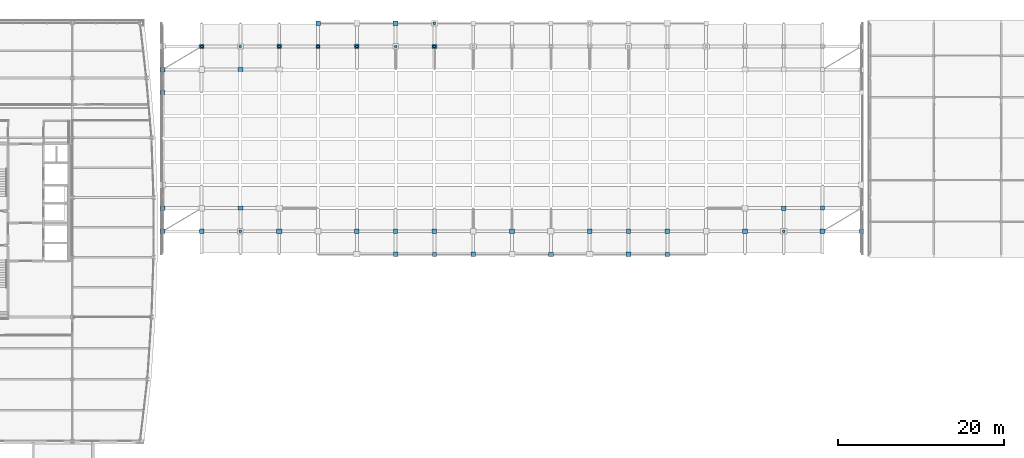
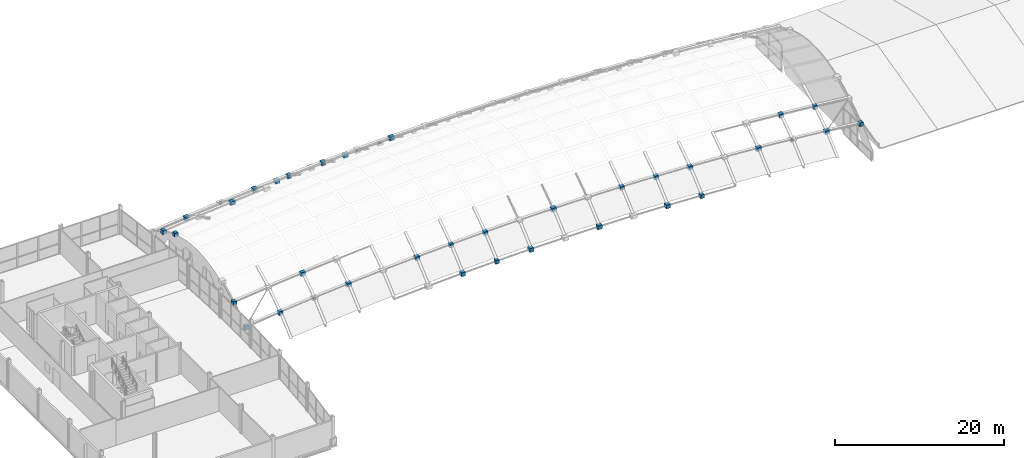
# One storey, part 49 of 65: 43 plates.
"""IFC4 building model written with IfcOpenShell, lengths in metres."""

from ifc_helpers import new_model, si_unit, direction, frame, origin, origin_2d, place, context, subcontext, project, spatial, rectangle, extrude, material, layer, layer_set, type_object, element, save


model = new_model("IFC4")

# Units and contexts
model_context = context("Model", 3, precision=1e-05, world=origin(), true_north=direction((0.0, 1.0)))
body_context = subcontext(model_context, "Body", "Model", "MODEL_VIEW")
ifc_project = project(units=[si_unit("LENGTHUNIT", "METRE"), si_unit("AREAUNIT", "SQUARE_METRE"), si_unit("VOLUMEUNIT", "CUBIC_METRE"), si_unit("PLANEANGLEUNIT", "RADIAN"), si_unit("MASSUNIT", "GRAM", prefix="KILO")], contexts=[model_context])

# Site, building, storey
site_placement = place(None, origin())
site = spatial("IfcSite", under=ifc_project, at=site_placement, CompositionType="ELEMENT")
building_placement = place(site_placement, origin())
building = spatial("IfcBuilding", under=site, at=building_placement, Name="Quillay Park Conservatory", CompositionType="ELEMENT")
storey_placement = place(building_placement, frame((0.0, 0.0, 14.10009765625)))
storey = spatial("IfcBuildingStorey", under=building, at=storey_placement, Name="L03", CompositionType="ELEMENT", Elevation=14.10009765625)

# Plates
ifc_material_1 = material(Name="Steel S355J2H", Category="steel")
ifc_layer_1 = layer(ifc_material_1, 0.031982421875)
ifc_layer_set_1 = layer_set([ifc_layer_1], Name="BOLTED GUSSET NODE PLATE GN01 (Steel S355J2H)")
plate_type_1 = type_object("IfcPlateType", Name="BOLTED GUSSET NODE PLATE GN01", PredefinedType="USERDEFINED", material=ifc_layer_set_1)
for number, where, z_axis, x_axis, name in (
    (1, (44.683349609375, 110.614990234375, 1.948974609375), (0.0, 0.0, 1.0), (1.0, 0.0, 0.0), "Conservatory gridshell star node GN01 (3,9)"),
    (2, (54.038818359375, 88.3349609375, 2.335693359375), (0.0, 0.0, 1.0), (1.0, 0.0, 0.0), "Conservatory gridshell star node GN01 (5,1)"),
    (3, (58.716796875, 85.550048828125, 0.093505859375), (0.0, 0.0, 1.0), (1.0, 0.0, 0.0), "Conservatory gridshell star node GN01 (6,0)"),
    (4, (82.105712890625, 88.3349609375, 2.687255859375), (0.0, 0.0, 1.0), (1.0, 0.0, 0.0), "Conservatory gridshell star node GN01 (11,1)"),
    (5, (86.783203125, 85.550048828125, 0.093505859375), (0.0, 0.0, 1.0), (1.0, 0.0, 0.0), "Conservatory gridshell star node GN01 (12,0)"),
    (6, (105.494384765625, 91.1201171875, 3.284912109375), (0.0, 0.0, 1.0), (1.0, 0.0, 0.0), "Conservatory gridshell star node GN01 (16,2)"),
    (7, (110.172119140625, 88.3349609375, 0.937255859375), (0.0, 0.0, 1.0), (1.0, 0.0, 0.0), "Conservatory gridshell star node GN01 (17,1)"),
):
    element("IfcPlate", number, at=place(storey_placement, frame(where, z_axis=z_axis, x_axis=x_axis)), inside=storey, type_object=plate_type_1, Name=name, ObjectType="GUSSET PLATE", PredefinedType="USERDEFINED", context=body_context, shape_type="SweptSolid", body=[
        extrude(rectangle(XDim=0.56005859375, YDim=0.56005859375, at=origin_2d()), origin(), (0.0, 0.0, 1.0), 0.5400390625),
    ])
ifc_material_2 = material(Name="Steel S355J2H", Category="steel")
ifc_layer_2 = layer(ifc_material_2, 0.035888671875)
ifc_layer_set_2 = layer_set([ifc_layer_2], Name="BOLTED GUSSET NODE PLATE GN02 (Steel S355J2H)")
plate_type_2 = type_object("IfcPlateType", Name="BOLTED GUSSET NODE PLATE GN02", PredefinedType="USERDEFINED", material=ifc_layer_set_2)
for number, where, z_axis, x_axis, name in (
    (8, (30.64990234375, 88.3349609375, 0.441162109375), (0.0, 0.0, 1.0), (1.0, 0.0, 0.0), "Conservatory gridshell star node GN02 (0,1)"),
    (9, (30.64990234375, 105.044921875, 3.820068359375), (0.0, 0.0, 1.0), (1.0, 0.0, 0.0), "Conservatory gridshell star node GN02 (0,7)"),
    (10, (49.361083984375, 110.614990234375, 2.269287109375), (0.0, 0.0, 1.0), (1.0, 0.0, 0.0), "Conservatory gridshell star node GN02 (4,9)"),
    (11, (58.716796875, 88.3349609375, 2.538818359375), (0.0, 0.0, 1.0), (1.0, 0.0, 0.0), "Conservatory gridshell star node GN02 (6,1)"),
    (12, (63.394287109375, 85.550048828125, 0.241943359375), (0.0, 0.0, 1.0), (1.0, 0.0, 0.0), "Conservatory gridshell star node GN02 (7,0)"),
    (13, (86.783203125, 88.3349609375, 2.538818359375), (0.0, 0.0, 1.0), (1.0, 0.0, 0.0), "Conservatory gridshell star node GN02 (12,1)"),
    (14, (91.461181640625, 85.550048828125, -0.109619140625), (0.0, 0.0, 1.0), (1.0, 0.0, 0.0), "Conservatory gridshell star node GN02 (13,0)"),
    (15, (110.172119140625, 91.1201171875, 2.847412109375), (0.0, 0.0, 1.0), (1.0, 0.0, 0.0), "Conservatory gridshell star node GN02 (17,2)"),
    (16, (114.85009765625, 88.3349609375, 0.441162109375), (0.0, 0.0, 1.0), (1.0, 0.0, 0.0), "Conservatory gridshell star node GN02 (18,1)"),
):
    element("IfcPlate", number, at=place(storey_placement, frame(where, z_axis=z_axis, x_axis=x_axis)), inside=storey, type_object=plate_type_2, Name=name, ObjectType="GUSSET PLATE", PredefinedType="USERDEFINED", context=body_context, shape_type="SweptSolid", body=[
        extrude(rectangle(XDim=0.5, YDim=0.5, at=origin_2d()), origin(), (0.0, 0.0, 1.0), 0.5400390625),
    ])
ifc_material_3 = material(Name="Steel S355J2H", Category="steel")
ifc_layer_3 = layer(ifc_material_3, 0.0400390625)
ifc_layer_set_3 = layer_set([ifc_layer_3], Name="BOLTED GUSSET NODE PLATE GN03 (Steel S355J2H)")
plate_type_3 = type_object("IfcPlateType", Name="BOLTED GUSSET NODE PLATE GN03", PredefinedType="USERDEFINED", material=ifc_layer_set_3)
for number, where, z_axis, x_axis, name in (
    (17, (30.64990234375, 91.1201171875, 2.351318359375), (0.0, 0.0, 1.0), (1.0, 0.0, 0.0), "Conservatory gridshell star node GN03 (0,2)"),
    (18, (30.64990234375, 107.830078125, 2.495849609375), (0.0, 0.0, 1.0), (1.0, 0.0, 0.0), "Conservatory gridshell star node GN03 (0,8)"),
    (19, (35.327880859375, 88.3349609375, 0.937255859375), (0.0, 0.0, 1.0), (1.0, 0.0, 0.0), "Conservatory gridshell star node GN03 (1,1)"),
    (20, (49.361083984375, 113.39990234375, -0.133056640625), (0.0, 0.0, 1.0), (1.0, 0.0, 0.0), "Conservatory gridshell star node GN03 (4,10)"),
    (21, (54.038818359375, 110.614990234375, 2.531005859375), (0.0, 0.0, 1.0), (1.0, 0.0, 0.0), "Conservatory gridshell star node GN03 (5,9)"),
    (22, (63.394287109375, 88.3349609375, 2.687255859375), (0.0, 0.0, 1.0), (1.0, 0.0, 0.0), "Conservatory gridshell star node GN03 (7,1)"),
    (23, (68.072265625, 85.550048828125, 0.327880859375), (0.0, 0.0, 1.0), (1.0, 0.0, 0.0), "Conservatory gridshell star node GN03 (8,0)"),
    (24, (91.461181640625, 88.3349609375, 2.335693359375), (0.0, 0.0, 1.0), (1.0, 0.0, 0.0), "Conservatory gridshell star node GN03 (13,1)"),
):
    element("IfcPlate", number, at=place(storey_placement, frame(where, z_axis=z_axis, x_axis=x_axis)), inside=storey, type_object=plate_type_3, Name=name, ObjectType="GUSSET PLATE", PredefinedType="USERDEFINED", context=body_context, shape_type="SweptSolid", body=[
        extrude(rectangle(XDim=0.5400390625, YDim=0.5400390625, at=origin_2d()), origin(), (0.0, 0.0, 1.0), 0.5400390625),
    ])
ifc_material_4 = material(Name="Steel S355J2H", Category="steel")
ifc_layer_4 = layer(ifc_material_4, 0.048095703125)
ifc_layer_set_4 = layer_set([ifc_layer_4], Name="BOLTED GUSSET NODE PLATE GN05 (Steel S355J2H)")
plate_type_4 = type_object("IfcPlateType", Name="BOLTED GUSSET NODE PLATE GN05", PredefinedType="USERDEFINED", material=ifc_layer_set_4)
for number, where, z_axis, x_axis, name in (
    (25, (35.327880859375, 110.614990234375, 1.132568359375), (0.0, 0.0, 1.0), (1.0, 0.0, 0.0), "Conservatory gridshell star node GN05 (1,9)"),
    (26, (40.005615234375, 91.1201171875, 3.284912109375), (0.0, 0.0, 1.0), (1.0, 0.0, 0.0), "Conservatory gridshell star node GN05 (2,2)"),
    (27, (40.005615234375, 107.830078125, 3.429443359375), (0.0, 0.0, 1.0), (1.0, 0.0, 0.0), "Conservatory gridshell star node GN05 (2,8)"),
    (28, (44.683349609375, 88.3349609375, 1.753662109375), (0.0, 0.0, 1.0), (1.0, 0.0, 0.0), "Conservatory gridshell star node GN05 (3,1)"),
    (29, (58.716796875, 113.39990234375, 0.331787109375), (0.0, 0.0, 1.0), (1.0, 0.0, 0.0), "Conservatory gridshell star node GN05 (6,10)"),
    (30, (63.394287109375, 110.614990234375, 2.882568359375), (0.0, 0.0, 1.0), (1.0, 0.0, 0.0), "Conservatory gridshell star node GN05 (7,9)"),
    (31, (72.75, 88.3349609375, 2.804443359375), (0.0, 0.0, 1.0), (1.0, 0.0, 0.0), "Conservatory gridshell star node GN05 (9,1)"),
    (32, (77.427734375, 85.550048828125, 0.327880859375), (0.0, 0.0, 1.0), (1.0, 0.0, 0.0), "Conservatory gridshell star node GN05 (10,0)"),
    (33, (100.816650390625, 88.3349609375, 1.753662109375), (0.0, 0.0, 1.0), (1.0, 0.0, 0.0), "Conservatory gridshell star node GN05 (15,1)"),
):
    element("IfcPlate", number, at=place(storey_placement, frame(where, z_axis=z_axis, x_axis=x_axis)), inside=storey, type_object=plate_type_4, Name=name, ObjectType="GUSSET PLATE", PredefinedType="USERDEFINED", context=body_context, shape_type="SweptSolid", body=[
        extrude(rectangle(XDim=0.6201171875, YDim=0.5, at=origin_2d()), origin(), (0.0, 0.0, 1.0), 0.5400390625),
    ])
ifc_material_5 = material(Name="Steel S355J2H", Category="steel")
ifc_layer_5 = layer(ifc_material_5, 0.02392578125)
ifc_layer_set_5 = layer_set([ifc_layer_5], Name="HOLLOW END CAP PLATE 290 (Steel S355J2H)")
plate_type_5 = type_object("IfcPlateType", Name="HOLLOW END CAP PLATE 290", PredefinedType="USERDEFINED", material=ifc_layer_set_5)
plate_1_placement = place(storey_placement, frame((35.327880859375, 110.606689453125, 1.27587890625), z_axis=(0.0, 0.0, 1.0), x_axis=(1.0, 0.0, 0.0)))
element("IfcPlate", 34, at=plate_1_placement, inside=storey, type_object=plate_type_5, Name="Hollow steel end cap ECP-0139", ObjectType="FLANGE PLATE", PredefinedType="USERDEFINED", context=body_context, shape_type="SweptSolid", body=[
    extrude(rectangle(XDim=0.294921875, YDim=0.294921875, at=origin_2d()), origin(), (0.0, 0.0, 1.0), 0.268310546875),
])
plate_2_placement = place(storey_placement, frame((40.005615234375, 88.34326171875, 1.5185546875), z_axis=(0.0, 0.0, 1.0), x_axis=(1.0, 0.0, 0.0)))
element("IfcPlate", 35, at=plate_2_placement, inside=storey, type_object=plate_type_5, Name="Hollow steel end cap ECP-0140", ObjectType="FLANGE PLATE", PredefinedType="USERDEFINED", context=body_context, shape_type="SweptSolid", body=[
    extrude(rectangle(XDim=0.294921875, YDim=0.294921875, at=origin_2d()), origin(), (0.0, 0.0, 1.0), 0.266845703125),
])
for number, where, z_axis, x_axis, name in (
    (36, (40.005615234375, 110.606689453125, 1.71337890625), (0.0, 0.0, 1.0), (1.0, 0.0, 0.0), "Hollow steel end cap ECP-0141"),
    (37, (44.683349609375, 110.606689453125, 2.09228515625), (0.0, 0.0, 1.0), (1.0, 0.0, 0.0), "Hollow steel end cap ECP-0142"),
    (38, (49.361083984375, 110.606689453125, 2.412109375), (0.0, 0.0, 1.0), (1.0, 0.0, 0.0), "Hollow steel end cap ECP-0143"),
    (39, (54.038818359375, 110.606689453125, 2.673828125), (0.0, 0.0, 1.0), (1.0, 0.0, 0.0), "Hollow steel end cap ECP-0144"),
    (40, (58.716796875, 110.606689453125, 2.876953125), (0.0, 0.0, 1.0), (1.0, 0.0, 0.0), "Hollow steel end cap ECP-0145"),
    (41, (63.394287109375, 110.606689453125, 3.02587890625), (0.0, 0.0, 1.0), (1.0, 0.0, 0.0), "Hollow steel end cap ECP-0146"),
    (42, (63.394287109375, 113.408203125, 0.60888671875), (0.0, 0.0, 1.0), (1.0, 0.0, 0.0), "Hollow steel end cap ECP-0147"),
):
    element("IfcPlate", number, at=place(storey_placement, frame(where, z_axis=z_axis, x_axis=x_axis)), inside=storey, type_object=plate_type_5, Name=name, ObjectType="FLANGE PLATE", PredefinedType="USERDEFINED", context=body_context, shape_type="SweptSolid", body=[
        extrude(rectangle(XDim=0.294921875, YDim=0.294921875, at=origin_2d()), origin(), (0.0, 0.0, 1.0), 0.268310546875),
    ])
plate_3_placement = place(storey_placement, frame((105.494384765625, 88.34326171875, 1.5185546875), z_axis=(0.0, 0.0, 1.0), x_axis=(1.0, 0.0, 0.0)))
element("IfcPlate", 43, at=plate_3_placement, inside=storey, type_object=plate_type_5, Name="Hollow steel end cap ECP-0157", ObjectType="FLANGE PLATE", PredefinedType="USERDEFINED", context=body_context, shape_type="SweptSolid", body=[
    extrude(rectangle(XDim=0.294921875, YDim=0.294921875, at=origin_2d()), origin(), (0.0, 0.0, 1.0), 0.266845703125),
])

save(model, "model.ifc")
